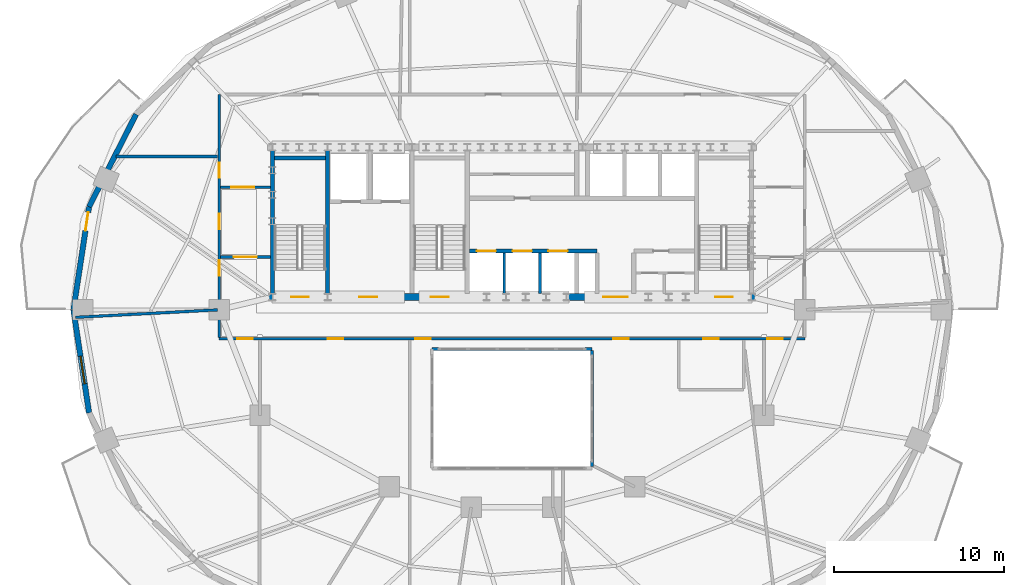
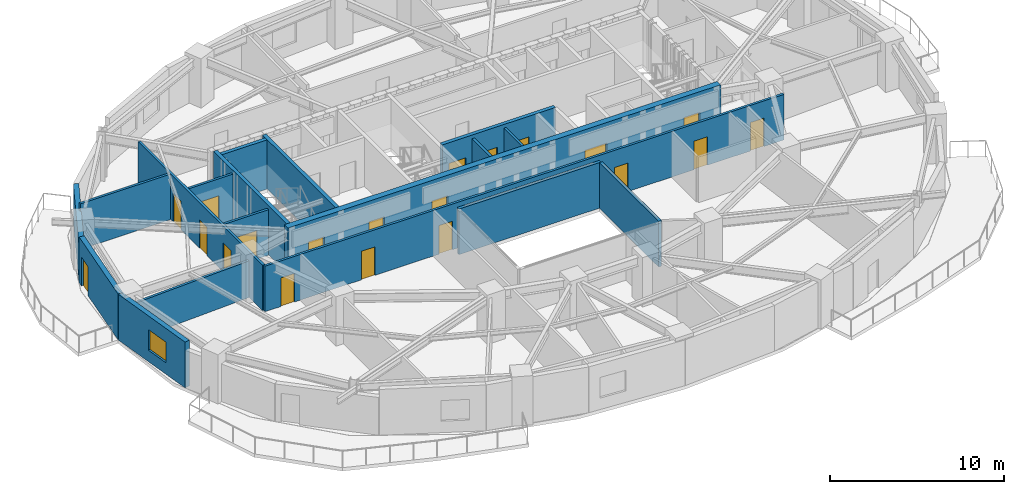
# One storey, part 6 of 11: 20 doors, 18 walls, 1 window, 21 openings.
"""IFC4 building model written with IfcOpenShell, lengths in metres."""

from ifc_helpers import new_model, si_unit, direction, frame, frame_2d, origin, place, context, subcontext, project, spatial, rectangle, extrude, material, layer, layer_set, type_object, element, fill, save


model = new_model("IFC4")

# Units and contexts
model_context = context("Model", 3, precision=1e-05, world=origin(), true_north=direction((0.0, 1.0)))
body_context = subcontext(model_context, "Body", "Model", "MODEL_VIEW")
ifc_project = project(units=[si_unit("LENGTHUNIT", "METRE"), si_unit("AREAUNIT", "SQUARE_METRE"), si_unit("VOLUMEUNIT", "CUBIC_METRE"), si_unit("PLANEANGLEUNIT", "RADIAN"), si_unit("MASSUNIT", "GRAM", prefix="KILO")], contexts=[model_context])

# Site, building, storey
site_placement = place(None, origin())
site = spatial("IfcSite", under=ifc_project, at=site_placement, CompositionType="ELEMENT")
building_placement = place(site_placement, origin())
building = spatial("IfcBuilding", under=site, at=building_placement, Name="Haldorwick Loom Tower", CompositionType="ELEMENT")
storey_placement = place(building_placement, frame((0.0, 0.0, 168.25)))
storey = spatial("IfcBuildingStorey", under=building, at=storey_placement, Name="L45", CompositionType="ELEMENT", Elevation=168.25)

# Wall
ifc_material_1 = material(Name="Pressed Clay Face Brick and Insulated Masonry Backup Assembly", Category="masonry")
ifc_layer_1 = layer(ifc_material_1, 0.320068359375, Name="Pressed Clay Face Brick and Insulated Masonry Backup Assembly", Category="masonry")
ifc_layer_set_1 = layer_set([ifc_layer_1], Name="Pressed Clay Face Brick and Insulated Masonry Backup Assembly")
wall_type_1 = type_object("IfcWallType", Name="ARC-WL-EXT320", PredefinedType="STANDARD", material=ifc_layer_set_1)
wall_1_placement = place(storey_placement, frame((13.92333984375, 37.481201171875, 0.0), z_axis=(0.0, 0.0, 1.0), x_axis=(-0.453172129629, -0.89142303141, 0.0)))
element("IfcWall", 1, at=wall_1_placement, inside=storey, type_object=wall_type_1, Name="L45 Brick Pier and Spandrel Wall 11", PredefinedType="STANDARD", context=body_context, shape_type="SweptSolid", body=[
    extrude(rectangle(XDim=6.086669921875, YDim=0.320068359375, at=frame_2d((3.04345703125, 0.0))), origin(), (0.0, 0.0, 1.0), 2.64111328125),
])

# Wall, opening, door
wall_2_placement = place(storey_placement, frame((11.1650390625, 32.055419921875, 0.0), z_axis=(0.0, 0.0, 1.0), x_axis=(-0.150544467684, -0.988603238539, 0.0)))
wall_2 = element("IfcWall", 2, at=wall_2_placement, inside=storey, type_object=wall_type_1, Name="L45 Brick Pier and Spandrel Wall 12", PredefinedType="STANDARD", context=body_context, shape_type="SweptSolid", body=[
    extrude(rectangle(XDim=6.125244140625, YDim=0.320068359375, at=frame_2d((3.0625, 0.0))), origin(), (0.0, 0.0, 1.0), 3.2099609375),
])
opening_1_placement = place(wall_2_placement, frame((0.340087890625, 0.0, 0.0)))
opening_1 = element("IfcOpeningElement", 3, at=opening_1_placement, cuts=wall_2, Name="Opening D-BL11", PredefinedType="OPENING", context=body_context, shape_type="SweptSolid", body=[
    extrude(rectangle(XDim=1.080078125, YDim=2.0400390625, at=frame_2d((0.5400390625, 1.02001953125))), frame((0.0, 0.169921875, 0.0), z_axis=(0.0, -1.0, 0.0), x_axis=(1.0, 0.0, 0.0)), (0.0, 0.0, 1.0), 0.340087890625),
])
ifc_material_2 = material(Name="Thermally Broken Anodized Aluminium Curtain Wall Framing", Category="aluminium")
door_type_1 = type_object("IfcDoorType", Name="ARC-DR-BAL110", OperationType="NOTDEFINED", PredefinedType="DOOR", material=ifc_material_2)
door_1_placement = place(opening_1_placement, origin())
door_1 = element("IfcDoor", 4, at=door_1_placement, inside=storey, type_object=door_type_1, Name="L45 Outdoor Terrace Door SLB-L45-BAL_WNW", OperationType="SINGLE_SWING_RIGHT", OverallHeight=2.0400390625, OverallWidth=1.080078125, PredefinedType="DOOR", context=body_context, shape_type="SweptSolid", body=[
    extrude(rectangle(XDim=1.080078125, YDim=2.0400390625, at=frame_2d((0.5400390625, 1.02001953125))), frame((0.0, 0.02490234375, 0.0), z_axis=(0.0, -1.0, 0.0), x_axis=(1.0, 0.0, 0.0)), (0.0, 0.0, 1.0), 0.050048828125),
])
fill(opening_1, door_1)

# Wall, opening, window
wall_3_placement = place(storey_placement, frame((10.242919921875, 26.0, 0.0), z_axis=(0.0, 0.0, 1.0), x_axis=(0.150544467684, -0.988603238539, 0.0)))
wall_3 = element("IfcWall", 5, at=wall_3_placement, inside=storey, type_object=wall_type_1, Name="L45 Brick Pier and Spandrel Wall 13", PredefinedType="STANDARD", context=body_context, shape_type="SweptSolid", body=[
    extrude(rectangle(XDim=6.125244140625, YDim=0.320068359375, at=frame_2d((3.0625, 0.0))), origin(), (0.0, 0.0, 1.0), 3.2099609375),
])
opening_2_placement = place(wall_3_placement, frame((2.749755859375, 0.0, 0.800048828125)))
opening_2 = element("IfcOpeningElement", 6, at=opening_2_placement, cuts=wall_3, Name="Opening W-01B", PredefinedType="OPENING", context=body_context, shape_type="SweptSolid", body=[
    extrude(rectangle(XDim=1.64990234375, YDim=1.449951171875, at=frame_2d((0.824951171875, 0.72509765625))), frame((0.0, 0.169921875, 0.0), z_axis=(0.0, -1.0, 0.0), x_axis=(1.0, 0.0, 0.0)), (0.0, 0.0, 1.0), 0.340087890625),
])
ifc_material_3 = material(Name="Triple-Glazed Low-E Argon Insulated Glazing Unit", Category="glass")
window_type = type_object("IfcWindowType", Name="ARC-WIN-W165", PartitioningType="SINGLE_PANEL", PredefinedType="WINDOW", material=ifc_material_3)
window_placement = place(opening_2_placement, origin())
window = element("IfcWindow", 7, at=window_placement, inside=storey, type_object=window_type, Name="L45 Deep-Set Zone 7A Window 13", OverallHeight=1.449951171875, OverallWidth=1.64990234375, PartitioningType="SINGLE_PANEL", PredefinedType="WINDOW", context=body_context, shape_type="SweptSolid", body=[
    extrude(rectangle(XDim=1.64990234375, YDim=1.449951171875, at=frame_2d((0.824951171875, 0.72509765625))), frame((0.0, 0.030029296875, 0.0), z_axis=(0.0, -1.0, 0.0), x_axis=(1.0, 0.0, 0.0)), (0.0, 0.0, 1.0), 0.06005859375),
])
fill(opening_2, window)

# Wall, openings, doors
ifc_material_4 = material(Name="Fire-Rated Type X Gypsum Stud Assembly EI 60")
ifc_layer_2 = layer(ifc_material_4, 0.159912109375, Name="Fire-Rated Type X Gypsum Stud Assembly EI 60")
ifc_layer_set_2 = layer_set([ifc_layer_2], Name="Fire-Rated Type X Gypsum Stud Assembly EI 60")
wall_type_2 = type_object("IfcWallType", Name="ARC-WL-FIRE160", PredefinedType="PARTITIONING", material=ifc_layer_set_2)
wall_4_placement = place(storey_placement, frame((18.800048828125, 24.300048828125, 0.0), z_axis=(0.0, 0.0, 1.0), x_axis=(1.0, 0.0, 0.0)))
wall_4 = element("IfcWall", 8, at=wall_4_placement, inside=storey, type_object=wall_type_2, Name="L45 Residential Fire Partition L45-CR-SP", PredefinedType="PARTITIONING", context=body_context, shape_type="SweptSolid", body=[
    extrude(rectangle(XDim=34.39990234375, YDim=0.159912109375, at=frame_2d((17.199951171875, 0.0))), origin(), (0.0, 0.0, 1.0), 3.195068359375),
])
opening_3_placement = place(wall_4_placement, frame((11.52734375, 0.0, 0.0)))
opening_3 = element("IfcOpeningElement", 9, at=opening_3_placement, cuts=wall_4, Name="Opening D-FD60A", PredefinedType="OPENING", context=body_context, shape_type="SweptSolid", body=[
    extrude(rectangle(XDim=0.89990234375, YDim=2.0, at=frame_2d((0.449951171875, 1.0))), frame((0.0, 0.08984375, 0.0), z_axis=(0.0, -1.0, 0.0), x_axis=(1.0, 0.0, 0.0)), (0.0, 0.0, 1.0), 0.179931640625),
])
opening_4_placement = place(wall_4_placement, frame((6.385986328125, 0.0, 0.0)))
opening_4 = element("IfcOpeningElement", 10, at=opening_4_placement, cuts=wall_4, Name="Opening D-FD60A", PredefinedType="OPENING", context=body_context, shape_type="SweptSolid", body=[
    extrude(rectangle(XDim=0.89990234375, YDim=2.0, at=frame_2d((0.449951171875, 1.0))), frame((0.0, 0.08984375, 0.0), z_axis=(0.0, -1.0, 0.0), x_axis=(1.0, 0.0, 0.0)), (0.0, 0.0, 1.0), 0.179931640625),
])
opening_5_placement = place(wall_4_placement, frame((23.14501953125, 0.0, 0.0)))
opening_5 = element("IfcOpeningElement", 11, at=opening_5_placement, cuts=wall_4, Name="Opening D-FD60A", PredefinedType="OPENING", context=body_context, shape_type="SweptSolid", body=[
    extrude(rectangle(XDim=0.89990234375, YDim=2.0, at=frame_2d((0.449951171875, 1.0))), frame((0.0, 0.08984375, 0.0), z_axis=(0.0, -1.0, 0.0), x_axis=(1.0, 0.0, 0.0)), (0.0, 0.0, 1.0), 0.179931640625),
])
opening_6_placement = place(wall_4_placement, frame((28.437255859375, 0.0, 0.0)))
opening_6 = element("IfcOpeningElement", 12, at=opening_6_placement, cuts=wall_4, Name="Opening D-FD60A", PredefinedType="OPENING", context=body_context, shape_type="SweptSolid", body=[
    extrude(rectangle(XDim=0.89990234375, YDim=2.0, at=frame_2d((0.449951171875, 1.0))), frame((0.0, 0.08984375, 0.0), z_axis=(0.0, -1.0, 0.0), x_axis=(1.0, 0.0, 0.0)), (0.0, 0.0, 1.0), 0.179931640625),
])
opening_7_placement = place(wall_4_placement, frame((32.185791015625, 0.0, 0.0)))
opening_7 = element("IfcOpeningElement", 13, at=opening_7_placement, cuts=wall_4, Name="Opening D-FD60A", PredefinedType="OPENING", context=body_context, shape_type="SweptSolid", body=[
    extrude(rectangle(XDim=0.89990234375, YDim=2.0, at=frame_2d((0.449951171875, 1.0))), frame((0.0, 0.08984375, 0.0), z_axis=(0.0, -1.0, 0.0), x_axis=(1.0, 0.0, 0.0)), (0.0, 0.0, 1.0), 0.179931640625),
])
opening_8_placement = place(wall_4_placement, frame((1.063232421875, 0.0, 0.0)))
opening_8 = element("IfcOpeningElement", 14, at=opening_8_placement, cuts=wall_4, Name="Opening D-FD60A", PredefinedType="OPENING", context=body_context, shape_type="SweptSolid", body=[
    extrude(rectangle(XDim=0.89990234375, YDim=2.0, at=frame_2d((0.449951171875, 1.0))), frame((0.0, 0.08984375, 0.0), z_axis=(0.0, -1.0, 0.0), x_axis=(1.0, 0.0, 0.0)), (0.0, 0.0, 1.0), 0.179931640625),
])
ifc_material_5 = material(Name="Hollow Steel Fire Door Assembly", Category="steel")
door_type_2 = type_object("IfcDoorType", Name="ARC-DR-FD60-90", OperationType="NOTDEFINED", PredefinedType="DOOR", material=ifc_material_5)
door_2_placement = place(opening_3_placement, origin())
door_2 = element("IfcDoor", 15, at=door_2_placement, inside=storey, type_object=door_type_2, Name="L45 L45 Central Residential Corridor to Tenant Seminar Meeting Room 1 Do", OperationType="SINGLE_SWING_RIGHT", OverallHeight=2.0, OverallWidth=0.89990234375, PredefinedType="DOOR", context=body_context, shape_type="SweptSolid", body=[
    extrude(rectangle(XDim=0.89990234375, YDim=2.0, at=frame_2d((0.449951171875, 1.0))), frame((0.0, 0.02490234375, 0.0), z_axis=(0.0, -1.0, 0.0), x_axis=(1.0, 0.0, 0.0)), (0.0, 0.0, 1.0), 0.050048828125),
])
fill(opening_3, door_2)
door_3_placement = place(opening_4_placement, origin())
door_3 = element("IfcDoor", 16, at=door_3_placement, inside=storey, type_object=door_type_2, Name="L45 L45 Central Residential Corridor to Tenant Seminar Meeting Room 6 Do", OperationType="SINGLE_SWING_LEFT", OverallHeight=2.0, OverallWidth=0.89990234375, PredefinedType="DOOR", context=body_context, shape_type="SweptSolid", body=[
    extrude(rectangle(XDim=0.89990234375, YDim=2.0, at=frame_2d((0.449951171875, 1.0))), frame((0.0, 0.02490234375, 0.0), z_axis=(0.0, -1.0, 0.0), x_axis=(1.0, 0.0, 0.0)), (0.0, 0.0, 1.0), 0.050048828125),
])
fill(opening_4, door_3)
door_4_placement = place(opening_5_placement, origin())
door_4 = element("IfcDoor", 17, at=door_4_placement, inside=storey, type_object=door_type_2, Name="L45 L45 Central Residential Corridor to Tenant Seminar Meeting Room 8 Do", OperationType="SINGLE_SWING_RIGHT", OverallHeight=2.0, OverallWidth=0.89990234375, PredefinedType="DOOR", context=body_context, shape_type="SweptSolid", body=[
    extrude(rectangle(XDim=0.89990234375, YDim=2.0, at=frame_2d((0.449951171875, 1.0))), frame((0.0, 0.02490234375, 0.0), z_axis=(0.0, -1.0, 0.0), x_axis=(1.0, 0.0, 0.0)), (0.0, 0.0, 1.0), 0.050048828125),
])
fill(opening_5, door_4)
door_5_placement = place(opening_6_placement, origin())
door_5 = element("IfcDoor", 18, at=door_5_placement, inside=storey, type_object=door_type_2, Name="L45 L45 Central Residential Corridor to Common Accessible WC Door", OperationType="SINGLE_SWING_RIGHT", OverallHeight=2.0, OverallWidth=0.89990234375, PredefinedType="DOOR", context=body_context, shape_type="SweptSolid", body=[
    extrude(rectangle(XDim=0.89990234375, YDim=2.0, at=frame_2d((0.449951171875, 1.0))), frame((0.0, 0.02490234375, 0.0), z_axis=(0.0, -1.0, 0.0), x_axis=(1.0, 0.0, 0.0)), (0.0, 0.0, 1.0), 0.050048828125),
])
fill(opening_6, door_5)
door_6_placement = place(opening_7_placement, origin())
door_6 = element("IfcDoor", 19, at=door_6_placement, inside=storey, type_object=door_type_2, Name="L45 L45 Central Residential Corridor to Tenant Seminar Meeting Room 5 Do", OperationType="SINGLE_SWING_RIGHT", OverallHeight=2.0, OverallWidth=0.89990234375, PredefinedType="DOOR", context=body_context, shape_type="SweptSolid", body=[
    extrude(rectangle(XDim=0.89990234375, YDim=2.0, at=frame_2d((0.449951171875, 1.0))), frame((0.0, 0.02490234375, 0.0), z_axis=(0.0, -1.0, 0.0), x_axis=(1.0, 0.0, 0.0)), (0.0, 0.0, 1.0), 0.050048828125),
])
fill(opening_7, door_6)
door_7_placement = place(opening_8_placement, origin())
door_7 = element("IfcDoor", 20, at=door_7_placement, inside=storey, type_object=door_type_2, Name="L45 L45 Central Residential Corridor to Tenant Seminar Meeting Room 7 Do", OperationType="SINGLE_SWING_RIGHT", OverallHeight=2.0, OverallWidth=0.89990234375, PredefinedType="DOOR", context=body_context, shape_type="SweptSolid", body=[
    extrude(rectangle(XDim=0.89990234375, YDim=2.0, at=frame_2d((0.449951171875, 1.0))), frame((0.0, 0.02490234375, 0.0), z_axis=(0.0, -1.0, 0.0), x_axis=(1.0, 0.0, 0.0)), (0.0, 0.0, 1.0), 0.050048828125),
])
fill(opening_8, door_7)

wall_5_placement = place(storey_placement, frame((18.800048828125, 24.383056640625, 0.0), z_axis=(0.0, 0.0, 1.0), x_axis=(0.0, 1.0, 0.0)))
wall_5 = element("IfcWall", 21, at=wall_5_placement, inside=storey, type_object=wall_type_2, Name="L45 Residential Fire Partition L45-CR-W0", PredefinedType="PARTITIONING", context=body_context, shape_type="SweptSolid", body=[
    extrude(rectangle(XDim=14.266845703125, YDim=0.159912109375, at=frame_2d((7.13330078125, 0.0))), origin(), (0.0, 0.0, 1.0), 3.195068359375),
])
opening_9_placement = place(wall_5_placement, frame((6.34912109375, 0.0, 0.0)))
opening_9 = element("IfcOpeningElement", 22, at=opening_9_placement, cuts=wall_5, Name="Opening D-FD60A", PredefinedType="OPENING", context=body_context, shape_type="SweptSolid", body=[
    extrude(rectangle(XDim=0.89990234375, YDim=2.0, at=frame_2d((0.449951171875, 1.0))), frame((0.0, 0.08984375, 0.0), z_axis=(0.0, -1.0, 0.0), x_axis=(1.0, 0.0, 0.0)), (0.0, 0.0, 1.0), 0.179931640625),
])
opening_10_placement = place(wall_5_placement, frame((3.619873046875, 0.0, 0.0)))
opening_10 = element("IfcOpeningElement", 23, at=opening_10_placement, cuts=wall_5, Name="Opening D-FD60A", PredefinedType="OPENING", context=body_context, shape_type="SweptSolid", body=[
    extrude(rectangle(XDim=0.89990234375, YDim=2.0, at=frame_2d((0.449951171875, 1.0))), frame((0.0, 0.08984375, 0.0), z_axis=(0.0, -1.0, 0.0), x_axis=(1.0, 0.0, 0.0)), (0.0, 0.0, 1.0), 0.179931640625),
])
opening_11_placement = place(wall_5_placement, frame((9.358642578125, 0.0, 0.0)))
opening_11 = element("IfcOpeningElement", 24, at=opening_11_placement, cuts=wall_5, Name="Opening D-FD60A", PredefinedType="OPENING", context=body_context, shape_type="SweptSolid", body=[
    extrude(rectangle(XDim=0.89990234375, YDim=2.0, at=frame_2d((0.449951171875, 1.0))), frame((0.0, 0.08984375, 0.0), z_axis=(0.0, -1.0, 0.0), x_axis=(1.0, 0.0, 0.0)), (0.0, 0.0, 1.0), 0.179931640625),
])
door_8_placement = place(opening_9_placement, frame((0.89990234375, 0.0, 0.0), z_axis=(0.0, 0.0, 1.0), x_axis=(-1.0, 0.0, 0.0)))
door_8 = element("IfcDoor", 25, at=door_8_placement, inside=storey, type_object=door_type_2, Name="L45 Co-Working Office 2 to L45 West Residential Corridor Door", OperationType="SINGLE_SWING_LEFT", OverallHeight=2.0, OverallWidth=0.89990234375, PredefinedType="DOOR", context=body_context, shape_type="SweptSolid", body=[
    extrude(rectangle(XDim=0.89990234375, YDim=2.0, at=frame_2d((0.449951171875, 1.0))), frame((0.0, 0.02490234375, 0.0), z_axis=(0.0, -1.0, 0.0), x_axis=(1.0, 0.0, 0.0)), (0.0, 0.0, 1.0), 0.050048828125),
])
fill(opening_9, door_8)
door_9_placement = place(opening_10_placement, frame((0.89990234375, 0.0, 0.0), z_axis=(0.0, 0.0, 1.0), x_axis=(-1.0, 0.0, 0.0)))
door_9 = element("IfcDoor", 26, at=door_9_placement, inside=storey, type_object=door_type_2, Name="L45 Co-Working Office 2 to L45 Central Residential Corridor Door", OperationType="SINGLE_SWING_LEFT", OverallHeight=2.0, OverallWidth=0.89990234375, PredefinedType="DOOR", context=body_context, shape_type="SweptSolid", body=[
    extrude(rectangle(XDim=0.89990234375, YDim=2.0, at=frame_2d((0.449951171875, 1.0))), frame((0.0, 0.02490234375, 0.0), z_axis=(0.0, -1.0, 0.0), x_axis=(1.0, 0.0, 0.0)), (0.0, 0.0, 1.0), 0.050048828125),
])
fill(opening_10, door_9)
door_10_placement = place(opening_11_placement, frame((0.89990234375, 0.0, 0.0), z_axis=(0.0, 0.0, 1.0), x_axis=(-1.0, 0.0, 0.0)))
door_10 = element("IfcDoor", 27, at=door_10_placement, inside=storey, type_object=door_type_2, Name="L45 Co-Working Office 2 to L45 North Residential Corridor Door", OperationType="SINGLE_SWING_LEFT", OverallHeight=2.0, OverallWidth=0.89990234375, PredefinedType="DOOR", context=body_context, shape_type="SweptSolid", body=[
    extrude(rectangle(XDim=0.89990234375, YDim=2.0, at=frame_2d((0.449951171875, 1.0))), frame((0.0, 0.02490234375, 0.0), z_axis=(0.0, -1.0, 0.0), x_axis=(1.0, 0.0, 0.0)), (0.0, 0.0, 1.0), 0.050048828125),
])
fill(opening_11, door_10)

# Wall, opening, door
wall_6_placement = place(storey_placement, frame((18.883056640625, 29.10009765625, 0.0), z_axis=(0.0, 0.0, 1.0), x_axis=(1.0, 0.0, 0.0)))
wall_6 = element("IfcWall", 28, at=wall_6_placement, inside=storey, type_object=wall_type_2, Name="L45 Residential Fire Partition L45-CR-WSJ", PredefinedType="PARTITIONING", context=body_context, shape_type="SweptSolid", body=[
    extrude(rectangle(XDim=2.923828125, YDim=0.159912109375, at=frame_2d((1.4619140625, 0.0))), origin(), (0.0, 0.0, 1.0), 3.195068359375),
])
opening_12_placement = place(wall_6_placement, frame((0.787109375, 0.0, 0.0)))
opening_12 = element("IfcOpeningElement", 29, at=opening_12_placement, cuts=wall_6, Name="Opening D-CR15", PredefinedType="OPENING", context=body_context, shape_type="SweptSolid", body=[
    extrude(rectangle(XDim=1.35009765625, YDim=2.0, at=frame_2d((0.675048828125, 1.0))), frame((0.0, 0.08984375, 0.0), z_axis=(0.0, -1.0, 0.0), x_axis=(1.0, 0.0, 0.0)), (0.0, 0.0, 1.0), 0.179931640625),
])
ifc_material_6 = material(Name="Thermally Broken Anodized Aluminium and Tempered Glass", Category="aluminium")
door_type_3 = type_object("IfcDoorType", Name="ARC-DR-COR150", OperationType="NOTDEFINED", PredefinedType="DOOR", material=ifc_material_6)
door_11_placement = place(opening_12_placement, origin())
door_11 = element("IfcDoor", 30, at=door_11_placement, inside=storey, type_object=door_type_3, Name="L45 L45 West Residential Corridor to L45 Central Residential Corridor Do", OperationType="DOUBLE_DOOR_SINGLE_SWING", OverallHeight=2.0, OverallWidth=1.35009765625, PredefinedType="DOOR", context=body_context, shape_type="SweptSolid", body=[
    extrude(rectangle(XDim=1.35009765625, YDim=2.0, at=frame_2d((0.675048828125, 1.0))), frame((0.0, 0.02490234375, 0.0), z_axis=(0.0, -1.0, 0.0), x_axis=(1.0, 0.0, 0.0)), (0.0, 0.0, 1.0), 0.050048828125),
])
fill(opening_12, door_11)

wall_7_placement = place(storey_placement, frame((18.883056640625, 33.199951171875, 0.0), z_axis=(0.0, 0.0, 1.0), x_axis=(1.0, 0.0, 0.0)))
wall_7 = element("IfcWall", 31, at=wall_7_placement, inside=storey, type_object=wall_type_2, Name="L45 Residential Fire Partition L45-CR-WNJ", PredefinedType="PARTITIONING", context=body_context, shape_type="SweptSolid", body=[
    extrude(rectangle(XDim=2.923828125, YDim=0.159912109375, at=frame_2d((1.4619140625, 0.0))), origin(), (0.0, 0.0, 1.0), 3.195068359375),
])
opening_13_placement = place(wall_7_placement, frame((0.637939453125, 0.0, 0.0)))
opening_13 = element("IfcOpeningElement", 32, at=opening_13_placement, cuts=wall_7, Name="Opening D-CR15", PredefinedType="OPENING", context=body_context, shape_type="SweptSolid", body=[
    extrude(rectangle(XDim=1.35009765625, YDim=2.0, at=frame_2d((0.675048828125, 1.0))), frame((0.0, 0.08984375, 0.0), z_axis=(0.0, -1.0, 0.0), x_axis=(1.0, 0.0, 0.0)), (0.0, 0.0, 1.0), 0.179931640625),
])
door_12_placement = place(opening_13_placement, origin())
door_12 = element("IfcDoor", 33, at=door_12_placement, inside=storey, type_object=door_type_3, Name="L45 L45 North Residential Corridor to L45 West Residential Corridor Door", OperationType="DOUBLE_DOOR_SINGLE_SWING", OverallHeight=2.0, OverallWidth=1.35009765625, PredefinedType="DOOR", context=body_context, shape_type="SweptSolid", body=[
    extrude(rectangle(XDim=1.35009765625, YDim=2.0, at=frame_2d((0.675048828125, 1.0))), frame((0.0, 0.02490234375, 0.0), z_axis=(0.0, -1.0, 0.0), x_axis=(1.0, 0.0, 0.0)), (0.0, 0.0, 1.0), 0.050048828125),
])
fill(opening_13, door_12)

# Walls
wall_8_placement = place(storey_placement, frame((18.717041015625, 25.99560546875, 0.0), z_axis=(0.0, 0.0, 1.0), x_axis=(-0.99863031647, -0.052321038094, 0.0)))
element("IfcWall", 34, at=wall_8_placement, inside=storey, type_object=wall_type_2, Name="L45 Residential Fire Partition L45-ICR-11", PredefinedType="PARTITIONING", context=body_context, shape_type="SweptSolid", body=[
    extrude(rectangle(XDim=8.3525390625, YDim=0.159912109375, at=frame_2d((4.17626953125, 0.0))), origin(), (0.0, 0.0, 1.0), 2.568115234375),
])
wall_9_placement = place(storey_placement, frame((12.73486328125, 35.0, 0.0), z_axis=(0.0, 0.0, 1.0), x_axis=(1.0, 0.0, 0.0)))
element("IfcWall", 35, at=wall_9_placement, inside=storey, type_object=wall_type_2, Name="L45 Residential Fire Partition L45-FLW-16", PredefinedType="PARTITIONING", context=body_context, shape_type="SweptSolid", body=[
    extrude(rectangle(XDim=5.982177734375, YDim=0.159912109375, at=frame_2d((2.9912109375, 0.0))), origin(), (0.0, 0.0, 1.0), 3.195068359375),
])
ifc_material_7 = material(Name="Fire-Rated Type X Gypsum Stud Assembly EI 120")
ifc_layer_3 = layer(ifc_material_7, 0.199951171875, Name="Fire-Rated Type X Gypsum Stud Assembly EI 120")
ifc_layer_set_3 = layer_set([ifc_layer_3], Name="Fire-Rated Type X Gypsum Stud Assembly EI 120")
wall_type_3 = type_object("IfcWallType", Name="ARC-WL-FIRE200", PredefinedType="PARTITIONING", material=ifc_layer_set_3)
wall_10_placement = place(storey_placement, frame((31.300048828125, 23.699951171875, 0.0), z_axis=(0.0, 0.0, 1.0), x_axis=(1.0, 0.0, 0.0)))
element("IfcWall", 36, at=wall_10_placement, inside=storey, type_object=wall_type_3, Name="L45 Atrium Fire Enclosure Wall N", PredefinedType="PARTITIONING", context=body_context, shape_type="SweptSolid", body=[
    extrude(rectangle(XDim=9.39990234375, YDim=0.199951171875, at=frame_2d((4.699951171875, 0.0))), origin(), (0.0, 0.0, 1.0), 3.195068359375),
])
wall_11_placement = place(storey_placement, frame((40.699951171875, 23.596923828125, 0.0), z_axis=(0.0, 0.0, 1.0), x_axis=(0.0, -1.0, 0.0)))
element("IfcWall", 37, at=wall_11_placement, inside=storey, type_object=wall_type_3, Name="L45 Atrium Fire Enclosure Wall E", PredefinedType="PARTITIONING", context=body_context, shape_type="SweptSolid", body=[
    extrude(rectangle(XDim=6.7939453125, YDim=0.199951171875, at=frame_2d((3.39697265625, 0.0))), origin(), (0.0, 0.0, 1.0), 3.195068359375),
])
ifc_layer_4 = layer(ifc_material_7, 0.1650390625, Name="Fire-Rated Type X Gypsum Stud Assembly EI 120")
ifc_layer_set_4 = layer_set([ifc_layer_4], Name="Fire-Rated Type X Gypsum Stud Assembly EI 120")
wall_type_4 = type_object("IfcWallType", Name="ARC-WL-SHAFT160", PredefinedType="MOVABLE", material=ifc_layer_set_4)
for number, where, z_axis, x_axis, name in (
    (38, (35.550048828125, 26.952880859375, 0.0), (0.0, 0.0, 1.0), (0.0, 1.0, 0.0), "L45 Mid-Rise Hoistway Divider 1"),
    (39, (37.64990234375, 26.952880859375, 0.0), (0.0, 0.0, 1.0), (0.0, 1.0, 0.0), "L45 Mid-Rise Hoistway Divider 2"),
):
    element("IfcWall", number, at=place(storey_placement, frame(where, z_axis=z_axis, x_axis=x_axis)), inside=storey, type_object=wall_type_4, Name=name, PredefinedType="MOVABLE", context=body_context, shape_type="SweptSolid", body=[
        extrude(rectangle(XDim=2.3740234375, YDim=0.159912109375, at=frame_2d((1.18701171875, 0.0))), origin(), (0.0, 0.0, 1.0), 3.195068359375),
    ])

# Wall, openings, doors
ifc_material_8 = material(Name="Concrete C50 (50 MPa)", Category="concrete")
ifc_layer_5 = layer(ifc_material_8, 0.39990234375, Name="Concrete C50 (50 MPa)", Category="concrete")
ifc_layer_set_5 = layer_set([ifc_layer_5], Name="Concrete C50 (50 MPa)")
wall_type_5 = type_object("IfcWallType", Name="STR-WL-CORE400", PredefinedType="SHEAR", material=ifc_layer_set_5)
wall_12_placement = place(storey_placement, frame((21.64990234375, 26.75, 0.0), z_axis=(0.0, 0.0, 1.0), x_axis=(1.0, 0.0, 0.0)))
wall_12 = element("IfcWall", 40, at=wall_12_placement, inside=storey, type_object=wall_type_5, Name="L45 Core Shear Wall S", PredefinedType="SHEAR", context=body_context, shape_type="SweptSolid", body=[
    extrude(rectangle(XDim=28.7001953125, YDim=0.39990234375, at=frame_2d((14.35009765625, 0.0))), origin(), (0.0, 0.0, 1.0), 3.449951171875),
])
opening_14_placement = place(wall_12_placement, frame((1.375, 0.0, 0.0)))
opening_14 = element("IfcOpeningElement", 41, at=opening_14_placement, cuts=wall_12, Name="Opening D-FD60", PredefinedType="OPENING", context=body_context, shape_type="SweptSolid", body=[
    extrude(rectangle(XDim=1.050048828125, YDim=2.0, at=frame_2d((0.52490234375, 1.0))), frame((0.0, 0.2099609375, 0.0), z_axis=(0.0, -1.0, 0.0), x_axis=(1.0, 0.0, 0.0)), (0.0, 0.0, 1.0), 0.419921875),
])
opening_15_placement = place(wall_12_placement, frame((5.375, 0.0, 0.0)))
opening_15 = element("IfcOpeningElement", 42, at=opening_15_placement, cuts=wall_12, Name="Opening D-FD60", PredefinedType="OPENING", context=body_context, shape_type="SweptSolid", body=[
    extrude(rectangle(XDim=1.050048828125, YDim=2.0, at=frame_2d((0.52490234375, 1.0))), frame((0.0, 0.2099609375, 0.0), z_axis=(0.0, -1.0, 0.0), x_axis=(1.0, 0.0, 0.0)), (0.0, 0.0, 1.0), 0.419921875),
])
opening_16_placement = place(wall_12_placement, frame((9.574951171875, 0.0, 0.0)))
opening_16 = element("IfcOpeningElement", 43, at=opening_16_placement, cuts=wall_12, Name="Opening D-FD60", PredefinedType="OPENING", context=body_context, shape_type="SweptSolid", body=[
    extrude(rectangle(XDim=1.050048828125, YDim=2.0, at=frame_2d((0.52490234375, 1.0))), frame((0.0, 0.2099609375, 0.0), z_axis=(0.0, -1.0, 0.0), x_axis=(1.0, 0.0, 0.0)), (0.0, 0.0, 1.0), 0.419921875),
])
opening_17_placement = place(wall_12_placement, frame((19.705078125, 0.0, 0.0)))
opening_17 = element("IfcOpeningElement", 44, at=opening_17_placement, cuts=wall_12, Name="Opening D-LB15", PredefinedType="OPENING", context=body_context, shape_type="SweptSolid", body=[
    extrude(rectangle(XDim=1.449951171875, YDim=2.0, at=frame_2d((0.72509765625, 1.0))), frame((0.0, 0.2099609375, 0.0), z_axis=(0.0, -1.0, 0.0), x_axis=(1.0, 0.0, 0.0)), (0.0, 0.0, 1.0), 0.419921875),
])
opening_18_placement = place(wall_12_placement, frame((26.27490234375, 0.0, 0.0)))
opening_18 = element("IfcOpeningElement", 45, at=opening_18_placement, cuts=wall_12, Name="Opening D-FD60", PredefinedType="OPENING", context=body_context, shape_type="SweptSolid", body=[
    extrude(rectangle(XDim=1.050048828125, YDim=2.0, at=frame_2d((0.52490234375, 1.0))), frame((0.0, 0.2099609375, 0.0), z_axis=(0.0, -1.0, 0.0), x_axis=(1.0, 0.0, 0.0)), (0.0, 0.0, 1.0), 0.419921875),
])
door_type_4 = type_object("IfcDoorType", Name="ARC-DR-FD60", OperationType="NOTDEFINED", PredefinedType="DOOR", material=ifc_material_5)
door_13_placement = place(opening_14_placement, origin())
door_13 = element("IfcDoor", 46, at=door_13_placement, inside=storey, type_object=door_type_4, Name="L45 Exit Stair ST-01 Fire Door", OperationType="SINGLE_SWING_LEFT", OverallHeight=2.0, OverallWidth=1.050048828125, PredefinedType="DOOR", context=body_context, shape_type="SweptSolid", body=[
    extrude(rectangle(XDim=1.050048828125, YDim=2.0, at=frame_2d((0.52490234375, 1.0))), frame((0.0, 0.02490234375, 0.0), z_axis=(0.0, -1.0, 0.0), x_axis=(1.0, 0.0, 0.0)), (0.0, 0.0, 1.0), 0.050048828125),
])
fill(opening_14, door_13)
door_14_placement = place(opening_15_placement, origin())
door_14 = element("IfcDoor", 47, at=door_14_placement, inside=storey, type_object=door_type_4, Name="L45 Firefighting Lift Lobby Fire Door", OperationType="SINGLE_SWING_RIGHT", OverallHeight=2.0, OverallWidth=1.050048828125, PredefinedType="DOOR", context=body_context, shape_type="SweptSolid", body=[
    extrude(rectangle(XDim=1.050048828125, YDim=2.0, at=frame_2d((0.52490234375, 1.0))), frame((0.0, 0.02490234375, 0.0), z_axis=(0.0, -1.0, 0.0), x_axis=(1.0, 0.0, 0.0)), (0.0, 0.0, 1.0), 0.050048828125),
])
fill(opening_15, door_14)
door_15_placement = place(opening_16_placement, origin())
door_15 = element("IfcDoor", 48, at=door_15_placement, inside=storey, type_object=door_type_4, Name="L45 Exit Stair ST-03 Fire Door", OperationType="SINGLE_SWING_LEFT", OverallHeight=2.0, OverallWidth=1.050048828125, PredefinedType="DOOR", context=body_context, shape_type="SweptSolid", body=[
    extrude(rectangle(XDim=1.050048828125, YDim=2.0, at=frame_2d((0.52490234375, 1.0))), frame((0.0, 0.02490234375, 0.0), z_axis=(0.0, -1.0, 0.0), x_axis=(1.0, 0.0, 0.0)), (0.0, 0.0, 1.0), 0.050048828125),
])
fill(opening_16, door_15)
door_16_placement = place(opening_18_placement, origin())
door_16 = element("IfcDoor", 49, at=door_16_placement, inside=storey, type_object=door_type_4, Name="L45 Exit Stair ST-02 Fire Door", OperationType="SINGLE_SWING_LEFT", OverallHeight=2.0, OverallWidth=1.050048828125, PredefinedType="DOOR", context=body_context, shape_type="SweptSolid", body=[
    extrude(rectangle(XDim=1.050048828125, YDim=2.0, at=frame_2d((0.52490234375, 1.0))), frame((0.0, 0.02490234375, 0.0), z_axis=(0.0, -1.0, 0.0), x_axis=(1.0, 0.0, 0.0)), (0.0, 0.0, 1.0), 0.050048828125),
])
fill(opening_18, door_16)
door_type_5 = type_object("IfcDoorType", Name="ARC-DR-LOB150", OperationType="NOTDEFINED", PredefinedType="DOOR", material=ifc_material_6)
door_17_placement = place(opening_17_placement, frame((1.449951171875, 0.0, 0.0), z_axis=(0.0, 0.0, 1.0), x_axis=(-1.0, 0.0, 0.0)))
door_17 = element("IfcDoor", 50, at=door_17_placement, inside=storey, type_object=door_type_5, Name="L45 Passenger Lift Lobby Fire Door", OperationType="DOUBLE_DOOR_SINGLE_SWING", OverallHeight=2.0, OverallWidth=1.449951171875, PredefinedType="DOOR", context=body_context, shape_type="SweptSolid", body=[
    extrude(rectangle(XDim=1.449951171875, YDim=2.0, at=frame_2d((0.72509765625, 1.0))), frame((0.0, 0.02490234375, 0.0), z_axis=(0.0, -1.0, 0.0), x_axis=(1.0, 0.0, 0.0)), (0.0, 0.0, 1.0), 0.050048828125),
])
fill(opening_17, door_17)

# Walls
ifc_layer_6 = layer(ifc_material_8, 0.239990234375, Name="Concrete C50 (50 MPa)", Category="concrete")
ifc_layer_set_6 = layer_set([ifc_layer_6], Name="Concrete C50 (50 MPa)")
wall_type_6 = type_object("IfcWallType", Name="STR-WL-SHAFT240", PredefinedType="SHEAR", material=ifc_layer_set_6)
for number, where, z_axis, x_axis, name in (
    (51, (21.929931640625, 35.346923828125, 0.0), (0.0, 0.0, 1.0), (0.0, -1.0, 0.0), "L45 Core Shear Wall W"),
    (52, (25.169921875, 26.952880859375, 0.0), (0.0, 0.0, 1.0), (0.0, 1.0, 0.0), "L45 Core Shear Wall 1"),
):
    element("IfcWall", number, at=place(storey_placement, frame(where, z_axis=z_axis, x_axis=x_axis)), inside=storey, type_object=wall_type_6, Name=name, PredefinedType="SHEAR", context=body_context, shape_type="SweptSolid", body=[
        extrude(rectangle(XDim=8.39404296875, YDim=0.239990234375, at=frame_2d((4.197021484375, 0.0))), origin(), (0.0, 0.0, 1.0), 3.449951171875),
    ])
wall_13_placement = place(storey_placement, frame((22.052978515625, 34.919921875, 0.0), z_axis=(0.0, 0.0, 1.0), x_axis=(1.0, 0.0, 0.0)))
element("IfcWall", 53, at=wall_13_placement, inside=storey, type_object=wall_type_6, Name="L45 Core Shear Wall 1N", PredefinedType="SHEAR", context=body_context, shape_type="SweptSolid", body=[
    extrude(rectangle(XDim=2.994140625, YDim=0.239990234375, at=frame_2d((1.4970703125, 0.0))), origin(), (0.0, 0.0, 1.0), 3.449951171875),
])

# Wall, openings, doors
wall_14_placement = place(storey_placement, frame((33.492919921875, 29.449951171875, 0.0), z_axis=(0.0, 0.0, 1.0), x_axis=(1.0, 0.0, 0.0)))
wall_14 = element("IfcWall", 54, at=wall_14_placement, inside=storey, type_object=wall_type_6, Name="L45 Core Shear Wall LS1", PredefinedType="SHEAR", context=body_context, shape_type="SweptSolid", body=[
    extrude(rectangle(XDim=7.507080078125, YDim=0.239990234375, at=frame_2d((3.75341796875, 0.0))), origin(), (0.0, 0.0, 1.0), 3.449951171875),
])
opening_19_placement = place(wall_14_placement, frame((0.447021484375, 0.0, 0.0)))
opening_19 = element("IfcOpeningElement", 55, at=opening_19_placement, cuts=wall_14, Name="Opening LD-M1", PredefinedType="OPENING", context=body_context, shape_type="SweptSolid", body=[
    extrude(rectangle(XDim=1.1201171875, YDim=2.0, at=frame_2d((0.56005859375, 1.0))), frame((0.0, 0.1298828125, 0.0), z_axis=(0.0, -1.0, 0.0), x_axis=(1.0, 0.0, 0.0)), (0.0, 0.0, 1.0), 0.260009765625),
])
opening_20_placement = place(wall_14_placement, frame((2.547119140625, 0.0, 0.0)))
opening_20 = element("IfcOpeningElement", 56, at=opening_20_placement, cuts=wall_14, Name="Opening LD-M2", PredefinedType="OPENING", context=body_context, shape_type="SweptSolid", body=[
    extrude(rectangle(XDim=1.1201171875, YDim=2.0, at=frame_2d((0.56005859375, 1.0))), frame((0.0, 0.1298828125, 0.0), z_axis=(0.0, -1.0, 0.0), x_axis=(1.0, 0.0, 0.0)), (0.0, 0.0, 1.0), 0.260009765625),
])
opening_21_placement = place(wall_14_placement, frame((4.64697265625, 0.0, 0.0)))
opening_21 = element("IfcOpeningElement", 57, at=opening_21_placement, cuts=wall_14, Name="Opening LD-M3", PredefinedType="OPENING", context=body_context, shape_type="SweptSolid", body=[
    extrude(rectangle(XDim=1.1201171875, YDim=2.0, at=frame_2d((0.56005859375, 1.0))), frame((0.0, 0.1298828125, 0.0), z_axis=(0.0, -1.0, 0.0), x_axis=(1.0, 0.0, 0.0)), (0.0, 0.0, 1.0), 0.260009765625),
])
door_type_6 = type_object("IfcDoorType", Name="ARC-DR-LD-PAX", OperationType="NOTDEFINED", PredefinedType="USERDEFINED", material=ifc_material_5)
door_18_placement = place(opening_19_placement, origin())
door_18 = element("IfcDoor", 58, at=door_18_placement, inside=storey, type_object=door_type_6, Name="L45 Lift LF-M1 Sliding Landing Door", ObjectType="LANDING DOOR", OperationType="DOUBLE_DOOR_SLIDING", OverallHeight=2.0, OverallWidth=1.1201171875, PredefinedType="USERDEFINED", context=body_context, shape_type="SweptSolid", body=[
    extrude(rectangle(XDim=1.1201171875, YDim=2.0, at=frame_2d((0.56005859375, 1.0))), frame((0.0, 0.02490234375, 0.0), z_axis=(0.0, -1.0, 0.0), x_axis=(1.0, 0.0, 0.0)), (0.0, 0.0, 1.0), 0.050048828125),
])
fill(opening_19, door_18)
door_19_placement = place(opening_20_placement, origin())
door_19 = element("IfcDoor", 59, at=door_19_placement, inside=storey, type_object=door_type_6, Name="L45 Lift LF-M2 Sliding Landing Door", ObjectType="LANDING DOOR", OperationType="DOUBLE_DOOR_SLIDING", OverallHeight=2.0, OverallWidth=1.1201171875, PredefinedType="USERDEFINED", context=body_context, shape_type="SweptSolid", body=[
    extrude(rectangle(XDim=1.1201171875, YDim=2.0, at=frame_2d((0.56005859375, 1.0))), frame((0.0, 0.02490234375, 0.0), z_axis=(0.0, -1.0, 0.0), x_axis=(1.0, 0.0, 0.0)), (0.0, 0.0, 1.0), 0.050048828125),
])
fill(opening_20, door_19)
door_20_placement = place(opening_21_placement, origin())
door_20 = element("IfcDoor", 60, at=door_20_placement, inside=storey, type_object=door_type_6, Name="L45 Lift LF-M3 Sliding Landing Door", ObjectType="LANDING DOOR", OperationType="DOUBLE_DOOR_SLIDING", OverallHeight=2.0, OverallWidth=1.1201171875, PredefinedType="USERDEFINED", context=body_context, shape_type="SweptSolid", body=[
    extrude(rectangle(XDim=1.1201171875, YDim=2.0, at=frame_2d((0.56005859375, 1.0))), frame((0.0, 0.02490234375, 0.0), z_axis=(0.0, -1.0, 0.0), x_axis=(1.0, 0.0, 0.0)), (0.0, 0.0, 1.0), 0.050048828125),
])
fill(opening_21, door_20)

save(model, "model.ifc")
